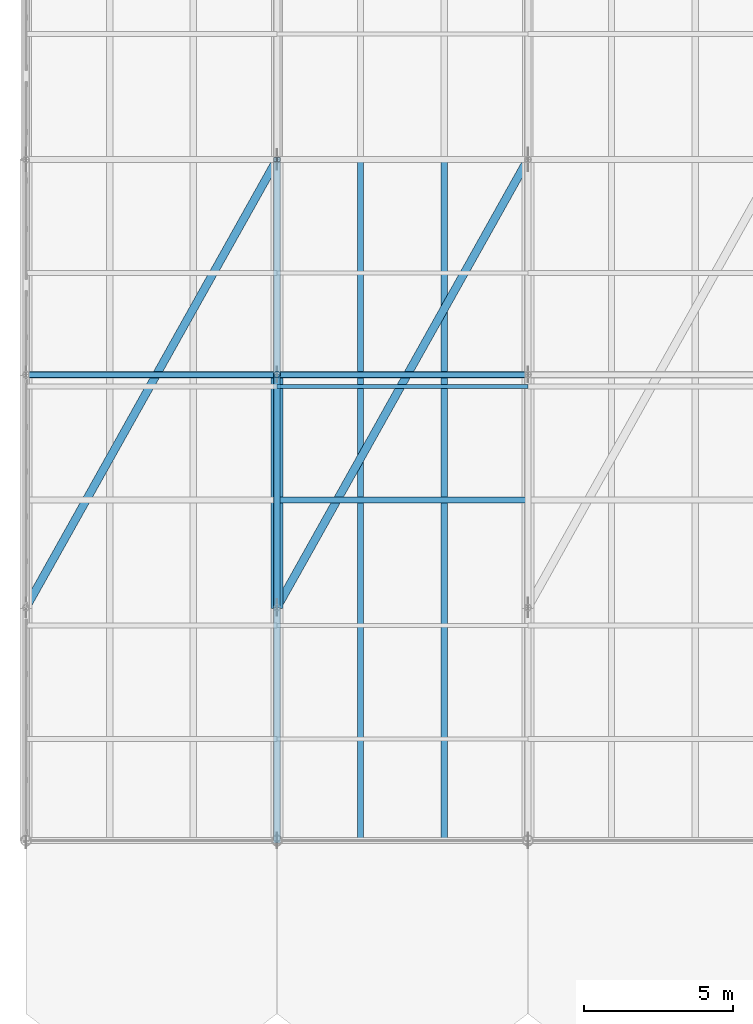
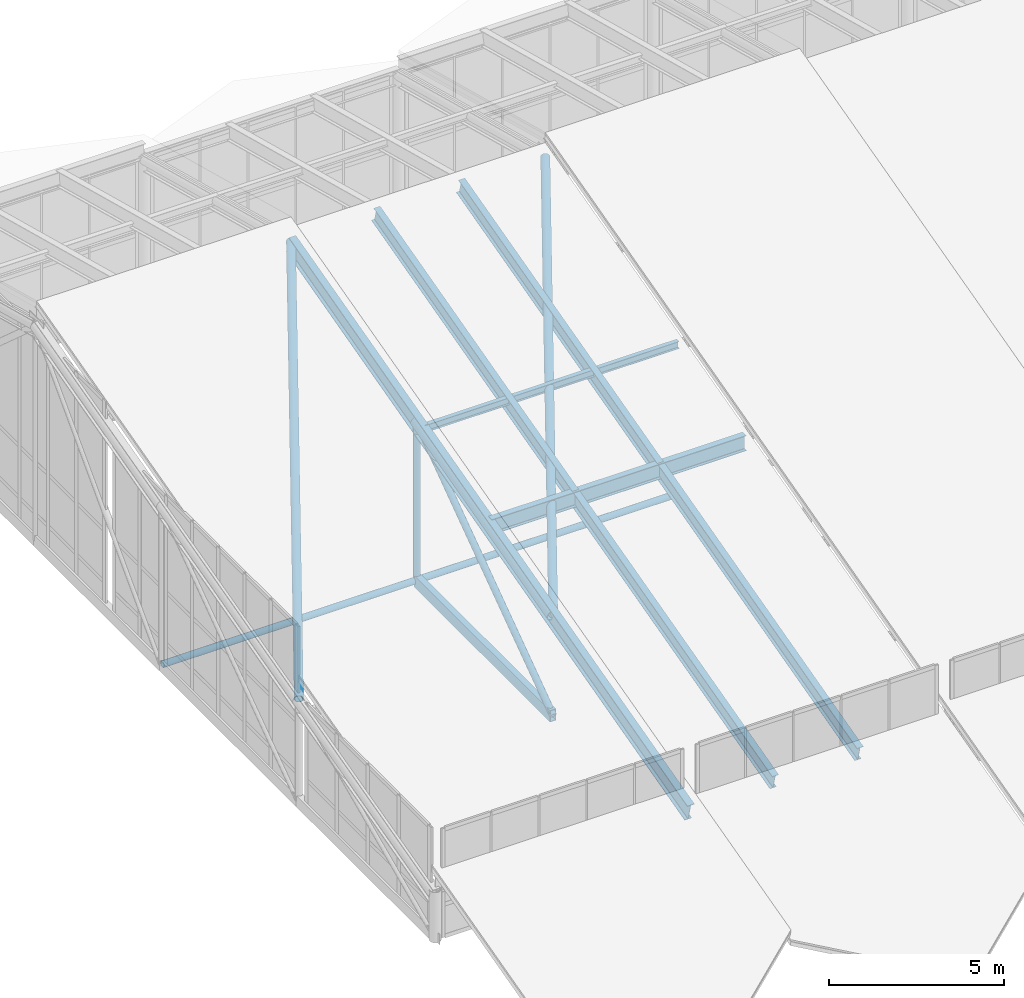
# One storey, part 8 of 43: 9 members, 4 beams.
"""IFC4 building model written with IfcOpenShell, lengths in metres."""

from ifc_helpers import new_model, si_unit, direction, frame, origin, origin_2d, place, context, subcontext, project, spatial, hollow_rectangle, hollow_circle, i_section, extrude, material, material_profile, profile_set, type_object, element, save


model = new_model("IFC4")

# Units and contexts
model_context = context("Model", 3, precision=1e-05, world=origin(), true_north=direction((0.0, 1.0)))
body_context = subcontext(model_context, "Body", "Model", "MODEL_VIEW")
ifc_project = project(units=[si_unit("LENGTHUNIT", "METRE"), si_unit("AREAUNIT", "SQUARE_METRE"), si_unit("VOLUMEUNIT", "CUBIC_METRE"), si_unit("PLANEANGLEUNIT", "RADIAN"), si_unit("MASSUNIT", "GRAM", prefix="KILO")], contexts=[model_context])

# Site, building, storey
site_placement = place(None, origin())
site = spatial("IfcSite", under=ifc_project, at=site_placement, CompositionType="ELEMENT")
building_placement = place(site_placement, origin())
building = spatial("IfcBuilding", under=site, at=building_placement, Name="Selat Folded Stagehouse", CompositionType="ELEMENT")
storey_placement = place(building_placement, frame((0.0, 0.0, 32.39990234375)))
storey = spatial("IfcBuildingStorey", under=building, at=storey_placement, Name="RF", CompositionType="ELEMENT", Elevation=32.39990234375)

# Beams
ifc_material = material(Name="Steel S355", Category="steel")
ifc_material_profile_1 = material_profile(ifc_material, i_section(OverallWidth=0.209228515625, OverallDepth=0.533203125, WebThickness=0.010009765625, FlangeThickness=0.015625, FilletRadius=0.0126953125, at=origin_2d()), Name="UKB 533x210x92")
ifc_profile_set_1 = profile_set([ifc_material_profile_1], Name="Steel S355")
beam_type_1 = type_object("IfcBeamType", Name="BM-GIRD-533x210x92", PredefinedType="BEAM", material=ifc_profile_set_1)
beam_1_placement = place(storey_placement, frame((16.800048828125, 34.800048828125, 4.59765625), z_axis=(1.0, 0.0, 0.0), x_axis=(0.0, 1.0, 0.0)))
element("IfcBeam", 1, at=beam_1_placement, inside=storey, type_object=beam_type_1, Name="RF bay 2 M roof bearer beam", PredefinedType="BEAM", context=body_context, shape_type="SweptSolid", body=[
    extrude(i_section(OverallWidth=0.209228515625, OverallDepth=0.533203125, WebThickness=0.010009765625, FlangeThickness=0.015625, FilletRadius=0.0126953125, at=origin_2d()), origin(), (0.0, 0.0, 1.0), 8.39990234375),
])
for number, where, z_axis, x_axis, name in (
    (2, (19.60009765625, 23.39990234375, 1.586181640625), (0.0, 0.966837291607, 0.255393131382), (-1.0, 0.0, 0.0), "RF bay 2 W south sub-rafter"),
    (3, (22.39990234375, 23.39990234375, 1.586181640625), (0.0, 0.966837291607, 0.255393131382), (-1.0, 0.0, 0.0), "RF bay 2 E south sub-rafter"),
):
    element("IfcBeam", number, at=place(storey_placement, frame(where, z_axis=z_axis, x_axis=x_axis)), inside=storey, type_object=beam_type_1, Name=name, PredefinedType="BEAM", context=body_context, shape_type="SweptSolid", body=[
        extrude(i_section(OverallWidth=0.209228515625, OverallDepth=0.533203125, WebThickness=0.010009765625, FlangeThickness=0.015625, FilletRadius=0.0126953125, at=origin_2d()), origin(), (0.0, 0.0, 1.0), 23.58203125),
    ])
ifc_material_profile_2 = material_profile(ifc_material, i_section(OverallWidth=0.230224609375, OverallDepth=0.6171875, WebThickness=0.01318359375, FlangeThickness=0.022216796875, FilletRadius=0.0126953125, at=origin_2d()), Name="UKB 610x229x140")
ifc_profile_set_2 = profile_set([ifc_material_profile_2], Name="Steel S355")
beam_type_2 = type_object("IfcBeamType", Name="BM-GIRD-610x229x140", PredefinedType="BEAM", material=ifc_profile_set_2)
beam_2_placement = place(storey_placement, frame((16.800048828125, 23.39990234375, 1.506591796875), z_axis=(0.0, 0.966837291607, 0.255393131382), x_axis=(-1.0, 0.0, 0.0)))
element("IfcBeam", 4, at=beam_2_placement, inside=storey, type_object=beam_type_2, Name="RF primary south rafter beam 2", PredefinedType="BEAM", context=body_context, shape_type="SweptSolid", body=[
    extrude(i_section(OverallWidth=0.230224609375, OverallDepth=0.6171875, WebThickness=0.01318359375, FlangeThickness=0.022216796875, FilletRadius=0.0126953125, at=origin_2d()), origin(), (0.0, 0.0, 1.0), 23.58203125),
])

# Members
ifc_material_profile_3 = material_profile(ifc_material, hollow_circle(Radius=0.109619140625, WallThickness=0.010009765625, at=origin_2d()), Name="CHS 219.1x10.0")
ifc_profile_set_3 = profile_set([ifc_material_profile_3], Name="Steel S355")
member_type_1 = type_object("IfcMemberType", Name="MEM-BRACE-CHS219", PredefinedType="BRACE", material=ifc_profile_set_3)
member_1_placement = place(storey_placement, frame((16.800048828125, 31.199951171875, 0.150146484375), z_axis=(0.0, 0.813513193396, 0.581546459168), x_axis=(-1.0, 0.0, 0.0)))
element("IfcMember", 5, at=member_1_placement, inside=storey, type_object=member_type_1, Name="Folded-plate web diagonal 2.2", PredefinedType="BRACE", context=body_context, shape_type="SweptSolid", body=[
    extrude(hollow_circle(Radius=0.109619140625, WallThickness=0.010009765625, at=origin_2d()), origin(), (0.0, 0.0, 1.0), 9.588134765625),
])
ifc_material_profile_4 = material_profile(ifc_material, hollow_circle(Radius=0.136474609375, WallThickness=0.012451171875, at=origin_2d()), Name="CHS 273.0x12.5")
ifc_profile_set_4 = profile_set([ifc_material_profile_4], Name="Steel S355")
member_type_2 = type_object("IfcMemberType", Name="MEM-BRACE-CHS273", PredefinedType="BRACE", material=ifc_profile_set_4)
for number, where, z_axis, x_axis, name in (
    (6, (8.39990234375, 31.199951171875, 3.66552734375), (0.476127257622, 0.850212419226, 0.224592245508), (-0.872502383543, 0.488609855315, 0.0), "Roof wind brace bay 1"),
    (7, (16.800048828125, 31.199951171875, 3.66552734375), (0.47611655648, 0.850218020989, 0.224593725271), (-0.872508437544, 0.488599044631, 0.0), "Roof wind brace bay 2"),
):
    element("IfcMember", number, at=place(storey_placement, frame(where, z_axis=z_axis, x_axis=x_axis)), inside=storey, type_object=member_type_2, Name=name, PredefinedType="BRACE", context=body_context, shape_type="SweptSolid", body=[
        extrude(hollow_circle(Radius=0.136474609375, WallThickness=0.012451171875, at=origin_2d()), origin(), (0.0, 0.0, 1.0), 17.642578125),
    ])
ifc_material_profile_5 = material_profile(ifc_material, hollow_circle(Radius=0.203125, WallThickness=0.01611328125, at=origin_2d()), Name="CHS 406.4x16.0")
ifc_profile_set_5 = profile_set([ifc_material_profile_5], Name="Steel S355")
member_type_3 = type_object("IfcMemberType", Name="MEM-CHORD-CHS406", PredefinedType="CHORD", material=ifc_profile_set_5)
member_2_placement = place(storey_placement, frame((16.800048828125, 31.199951171875, 3.66552734375), z_axis=(0.0, 0.966833028455, 0.255409269779), x_axis=(-1.0, 0.0, 0.0)))
element("IfcMember", 8, at=member_2_placement, inside=storey, type_object=member_type_3, Name="Folded-plate top chord 2.2", PredefinedType="CHORD", context=body_context, shape_type="SweptSolid", body=[
    extrude(hollow_circle(Radius=0.203125, WallThickness=0.01611328125, at=origin_2d()), origin(), (0.0, 0.0, 1.0), 8.067626953125),
])
ifc_material_profile_6 = material_profile(ifc_material, hollow_rectangle(XDim=0.199951171875, YDim=0.39990234375, WallThickness=0.012451171875, at=origin_2d()), Name="RHS 400x200x12.5")
ifc_profile_set_6 = profile_set([ifc_material_profile_6], Name="Steel S355")
member_type_4 = type_object("IfcMemberType", Name="MEM-CHORD-RHS400", PredefinedType="CHORD", material=ifc_profile_set_6)
member_3_placement = place(storey_placement, frame((16.800048828125, 31.199951171875, 0.150146484375), z_axis=(0.0, 1.0, 0.0), x_axis=(-1.0, 0.0, 0.0)))
element("IfcMember", 9, at=member_3_placement, inside=storey, type_object=member_type_4, Name="Folded-plate bottom tie 2.2", PredefinedType="CHORD", context=body_context, shape_type="SweptSolid", body=[
    extrude(hollow_rectangle(XDim=0.199951171875, YDim=0.39990234375, WallThickness=0.012451171875, at=origin_2d()), origin(), (0.0, 0.0, 1.0), 7.800048828125),
])
ifc_material_profile_7 = material_profile(ifc_material, hollow_circle(Radius=0.109619140625, WallThickness=0.010009765625, at=origin_2d()), Name="CHS 219.1x10.0")
ifc_profile_set_7 = profile_set([ifc_material_profile_7], Name="Steel S355")
member_type_5 = type_object("IfcMemberType", Name="MEM-POST-CHS219", PredefinedType="POST", material=ifc_profile_set_7)
member_4_placement = place(storey_placement, frame((16.800048828125, 39.0, 0.150146484375), z_axis=(0.0, 0.0, 1.0), x_axis=(1.0, 0.0, 0.0)))
element("IfcMember", 10, at=member_4_placement, inside=storey, type_object=member_type_5, Name="Folded-plate truss post 2.2", PredefinedType="POST", context=body_context, shape_type="SweptSolid", body=[
    extrude(hollow_circle(Radius=0.109619140625, WallThickness=0.010009765625, at=origin_2d()), origin(), (0.0, 0.0, 1.0), 5.575927734375),
])
ifc_material_profile_8 = material_profile(ifc_material, i_section(OverallWidth=0.14599609375, OverallDepth=0.25146484375, WebThickness=0.006103515625, FlangeThickness=0.008544921875, FilletRadius=0.007568359375, at=origin_2d()), Name="UKB 254x146x31")
ifc_profile_set_8 = profile_set([ifc_material_profile_8], Name="Steel S355")
member_type_6 = type_object("IfcMemberType", Name="MEM-PURLIN-UKB254", PredefinedType="PURLIN", material=ifc_profile_set_8)
member_5_placement = place(storey_placement, frame((16.800048828125, 38.60009765625, 5.70068359375), z_axis=(1.0, 0.0, 0.0), x_axis=(0.0, 1.0, 0.0)))
element("IfcMember", 11, at=member_5_placement, inside=storey, type_object=member_type_6, Name="Folded-plate roof purlin bay 2.3", PredefinedType="PURLIN", context=body_context, shape_type="SweptSolid", body=[
    extrude(i_section(OverallWidth=0.14599609375, OverallDepth=0.25146484375, WebThickness=0.006103515625, FlangeThickness=0.008544921875, FilletRadius=0.007568359375, at=origin_2d()), origin(), (0.0, 0.0, 1.0), 8.39990234375),
])
ifc_material_profile_9 = material_profile(ifc_material, hollow_circle(Radius=0.109619140625, WallThickness=0.010009765625, at=origin_2d()), Name="CHS 219.1x10.0")
ifc_profile_set_9 = profile_set([ifc_material_profile_9], Name="Steel S355")
member_type_7 = type_object("IfcMemberType", Name="MEM-STRUT-CHS219", PredefinedType="STRUT", material=ifc_profile_set_9)
member_6_placement = place(storey_placement, frame((8.39990234375, 39.0, 0.150146484375), z_axis=(1.0, 0.0, 0.0), x_axis=(0.0, 1.0, 0.0)))
element("IfcMember", 12, at=member_6_placement, inside=storey, type_object=member_type_7, Name="Roof bottom-tie strut bay 1", PredefinedType="STRUT", context=body_context, shape_type="SweptSolid", body=[
    extrude(hollow_circle(Radius=0.109619140625, WallThickness=0.010009765625, at=origin_2d()), origin(), (0.0, 0.0, 1.0), 8.400146484375),
])
member_7_placement = place(storey_placement, frame((16.800048828125, 39.0, 0.150146484375), z_axis=(1.0, 0.0, 0.0), x_axis=(0.0, 1.0, 0.0)))
element("IfcMember", 13, at=member_7_placement, inside=storey, type_object=member_type_7, Name="Roof bottom-tie strut bay 2", PredefinedType="STRUT", context=body_context, shape_type="SweptSolid", body=[
    extrude(hollow_circle(Radius=0.109619140625, WallThickness=0.010009765625, at=origin_2d()), origin(), (0.0, 0.0, 1.0), 8.39990234375),
])

save(model, "model.ifc")
